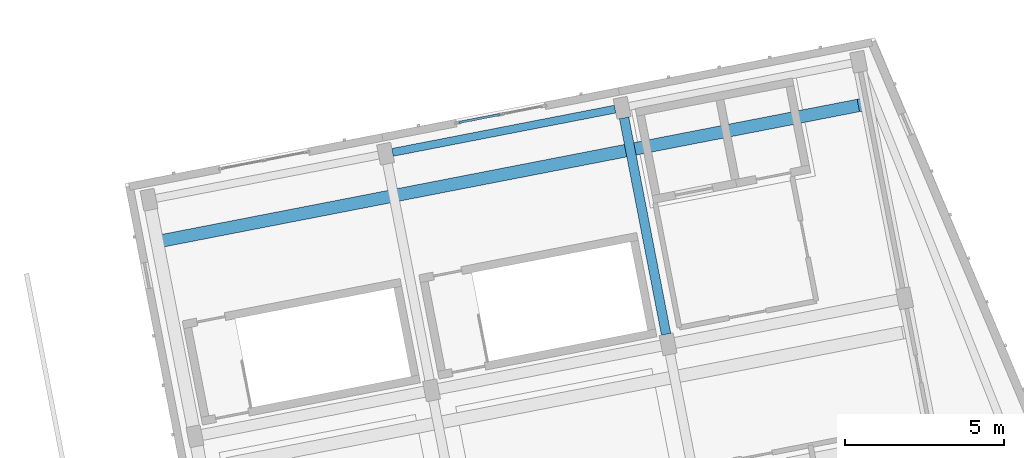
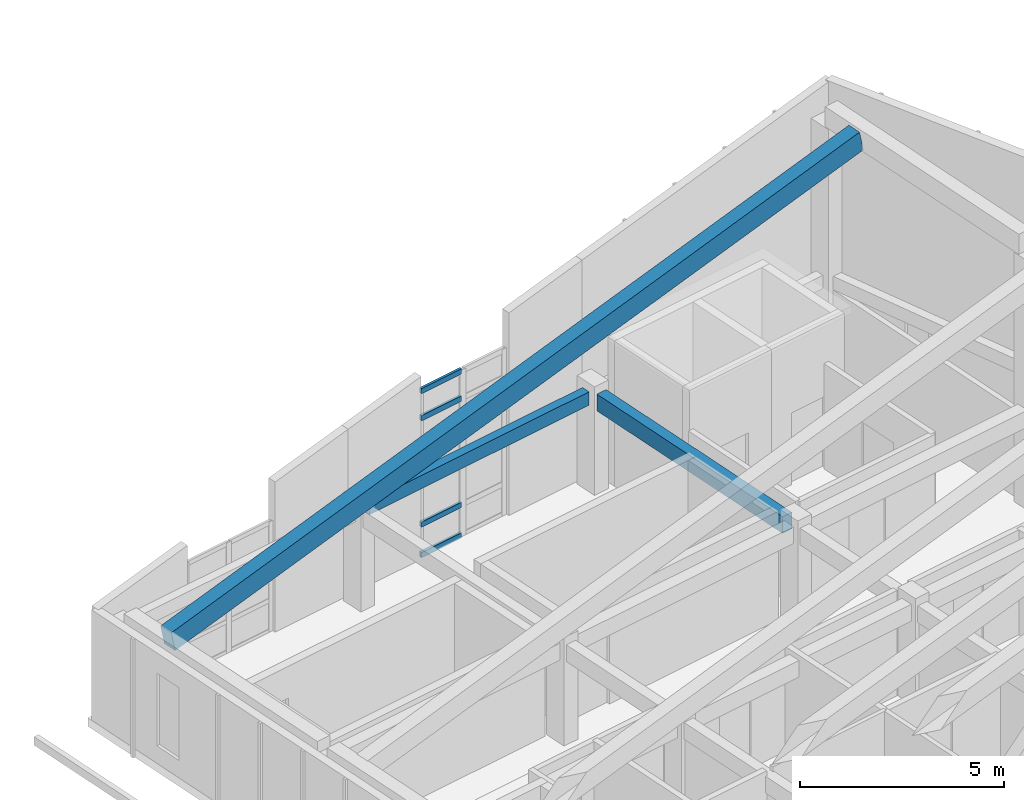
# One storey, part 11 of 56: 4 members, 3 beams, 1 element without a shape of its own.
"""IFC4 building model written with IfcOpenShell, lengths in metres."""

from ifc_helpers import new_model, si_unit, direction, frame, origin, origin_2d, place, context, subcontext, project, spatial, rectangle, hollow_rectangle, extrude, material, material_profile, profile_set, type_object, element, aggregate, save


model = new_model("IFC4")

# Units and contexts
model_context = context("Model", 3, precision=1e-05, world=origin(), true_north=direction((0.0, 1.0)))
body_context = subcontext(model_context, "Body", "Model", "MODEL_VIEW")
ifc_project = project(units=[si_unit("LENGTHUNIT", "METRE"), si_unit("AREAUNIT", "SQUARE_METRE"), si_unit("VOLUMEUNIT", "CUBIC_METRE"), si_unit("PLANEANGLEUNIT", "RADIAN"), si_unit("MASSUNIT", "GRAM", prefix="KILO")], contexts=[model_context])

# Site, building, storey
site_placement = place(None, origin())
site = spatial("IfcSite", under=ifc_project, at=site_placement, CompositionType="ELEMENT")
building_placement = place(site_placement, origin())
building = spatial("IfcBuilding", under=site, at=building_placement, Name="Kestramere Prow Commons", CompositionType="ELEMENT")
storey_placement = place(building_placement, frame((0.0, 0.0, 27.89990234375)))
storey = spatial("IfcBuildingStorey", under=building, at=storey_placement, Name="L08", CompositionType="ELEMENT", Elevation=27.89990234375)

# Beam
ifc_material_1 = material(Name="Precast concrete C40/50", Category="concrete")
ifc_material_profile_1 = material_profile(ifc_material_1, rectangle(XDim=0.300048828125, YDim=0.5, at=origin_2d()), Name="PC-BM 300x500")
ifc_profile_set_1 = profile_set([ifc_material_profile_1], Name="Precast concrete C40/50")
beam_type_1 = type_object("IfcBeamType", Name="BM-TIE-01 PC-BM 300x500", PredefinedType="BEAM", material=ifc_profile_set_1)
beam_1_placement = place(storey_placement, frame((153.35009765625, 53.349365234375, 2.75), z_axis=(-0.190817005532, 0.981625626397, 0.0), x_axis=(-0.981625626397, -0.190817005532, 0.0)))
element("IfcBeam", 1, at=beam_1_placement, inside=storey, type_object=beam_type_1, Name="Block D L08 Transverse Beam 6-3", PredefinedType="BEAM", context=body_context, shape_type="SweptSolid", body=[
    extrude(rectangle(XDim=0.300048828125, YDim=0.5, at=origin_2d()), origin(), (0.0, 0.0, 1.0), 6.949951171875),
])

# Curtain wall, members
ifc_material_2 = material(Name="Anodised Aluminium and Low-E Glass", Category="aluminium")
curtain_wall_type = type_object("IfcCurtainWallType", Name="CW-10 Glazed Curtain Wall 2830x4990", PredefinedType="USERDEFINED", material=ifc_material_2)
curtain_wall_placement = place(storey_placement, origin())
curtain_wall = element("IfcCurtainWall", 2, at=curtain_wall_placement, inside=storey, type_object=curtain_wall_type, Name="Block D L08 Stairwell Vertical Glazing 5", ObjectType="GLAZED CURTAIN WALL", PredefinedType="USERDEFINED")
ifc_material_3 = material(Name="Anodised Aluminium 6063-T6", Category="aluminium")
ifc_material_profile_2 = material_profile(ifc_material_3, hollow_rectangle(XDim=0.074951171875, YDim=0.159912109375, WallThickness=0.0048828125, at=origin_2d()), Name="ALU-TRN 75x160")
ifc_profile_set_2 = profile_set([ifc_material_profile_2], Name="Anodised Aluminium 6063-T6")
member_type = type_object("IfcMemberType", Name="CW-TRN-75x160", PredefinedType="USERDEFINED", material=ifc_profile_set_2)
member_1_placement = place(storey_placement, frame((146.816162109375, 60.025146484375, 0.03759765625), z_axis=(0.981626118914, 0.190814471845, 0.0), x_axis=(-0.190814471845, 0.981626118914, 0.0)))
member_1 = element("IfcMember", 3, at=member_1_placement, type_object=member_type, Name="CW-10 transom 1.1", ObjectType="TRANSOM", PredefinedType="USERDEFINED", context=body_context, shape_type="SweptSolid", body=[
    extrude(hollow_rectangle(XDim=0.074951171875, YDim=0.159912109375, WallThickness=0.0048828125, at=origin_2d()), origin(), (0.0, 0.0, 1.0), 1.302490234375),
])
member_2_placement = place(storey_placement, frame((146.816162109375, 60.025146484375, 0.9501953125), z_axis=(0.981626118914, 0.190814471845, 0.0), x_axis=(-0.190814471845, 0.981626118914, 0.0)))
member_2 = element("IfcMember", 4, at=member_2_placement, type_object=member_type, Name="CW-10 transom 1.2", ObjectType="TRANSOM", PredefinedType="USERDEFINED", context=body_context, shape_type="SweptSolid", body=[
    extrude(hollow_rectangle(XDim=0.074951171875, YDim=0.159912109375, WallThickness=0.0048828125, at=origin_2d()), origin(), (0.0, 0.0, 1.0), 1.302490234375),
])
member_3_placement = place(storey_placement, frame((146.816162109375, 60.025146484375, 4.13720703125), z_axis=(0.981626118914, 0.190814471845, 0.0), x_axis=(-0.190814471845, 0.981626118914, 0.0)))
member_3 = element("IfcMember", 5, at=member_3_placement, type_object=member_type, Name="CW-10 transom 1.3", ObjectType="TRANSOM", PredefinedType="USERDEFINED", context=body_context, shape_type="SweptSolid", body=[
    extrude(hollow_rectangle(XDim=0.074951171875, YDim=0.159912109375, WallThickness=0.0048828125, at=origin_2d()), origin(), (0.0, 0.0, 1.0), 1.302490234375),
])
member_4_placement = place(storey_placement, frame((146.816162109375, 60.025146484375, 4.94921875), z_axis=(0.981626118914, 0.190814471845, 0.0), x_axis=(-0.190814471845, 0.981626118914, 0.0)))
member_4 = element("IfcMember", 6, at=member_4_placement, type_object=member_type, Name="CW-10 transom 1.4", ObjectType="TRANSOM", PredefinedType="USERDEFINED", context=body_context, shape_type="SweptSolid", body=[
    extrude(hollow_rectangle(XDim=0.074951171875, YDim=0.159912109375, WallThickness=0.0048828125, at=origin_2d()), origin(), (0.0, 0.0, 1.0), 1.302490234375),
])
aggregate(curtain_wall, [member_1, member_2, member_3, member_4])

# Beams
ifc_material_profile_3 = material_profile(ifc_material_1, rectangle(XDim=0.39990234375, YDim=0.60009765625, at=origin_2d()), Name="PC-RB 400x600")
ifc_profile_set_3 = profile_set([ifc_material_profile_3], Name="Precast concrete C40/50")
beam_type_2 = type_object("IfcBeamType", Name="RB-PR-01 PC-RB 400x600", PredefinedType="BEAM", material=ifc_profile_set_3)
beam_2_placement = place(storey_placement, frame((159.473876953125, 60.575439453125, 7.767578125), z_axis=(-0.960509908841, -0.186700881431, -0.20630922396), x_axis=(0.19080571451, -0.981627821178, 0.0)))
element("IfcBeam", 7, at=beam_2_placement, inside=storey, type_object=beam_type_2, Name="Block D Upper Prow Raking Rafter 4", PredefinedType="BEAM", context=body_context, shape_type="SweptSolid", body=[
    extrude(rectangle(XDim=0.39990234375, YDim=0.60009765625, at=origin_2d()), origin(), (0.0, 0.0, 1.0), 22.872314453125),
])
ifc_material_profile_4 = material_profile(ifc_material_1, rectangle(XDim=0.25, YDim=0.39990234375, at=origin_2d()), Name="PC-SP 250x400")
ifc_profile_set_4 = profile_set([ifc_material_profile_4], Name="Precast concrete C40/50")
beam_type_3 = type_object("IfcBeamType", Name="SP-EXT-01 PC-SP 250x400", PredefinedType="SPANDREL", material=ifc_profile_set_4)
beam_3_placement = place(storey_placement, frame((144.722412109375, 59.08349609375, 2.800048828125), z_axis=(0.981628715169, 0.190801115182, 0.0), x_axis=(-0.190801115182, 0.981628715169, 0.0)))
element("IfcBeam", 8, at=beam_3_placement, inside=storey, type_object=beam_type_3, Name="Block D L08 Longitudinal Beam 4-5", PredefinedType="SPANDREL", context=body_context, shape_type="SweptSolid", body=[
    extrude(rectangle(XDim=0.25, YDim=0.39990234375, at=origin_2d()), origin(), (0.0, 0.0, 1.0), 7.150146484375),
])

save(model, "model.ifc")
